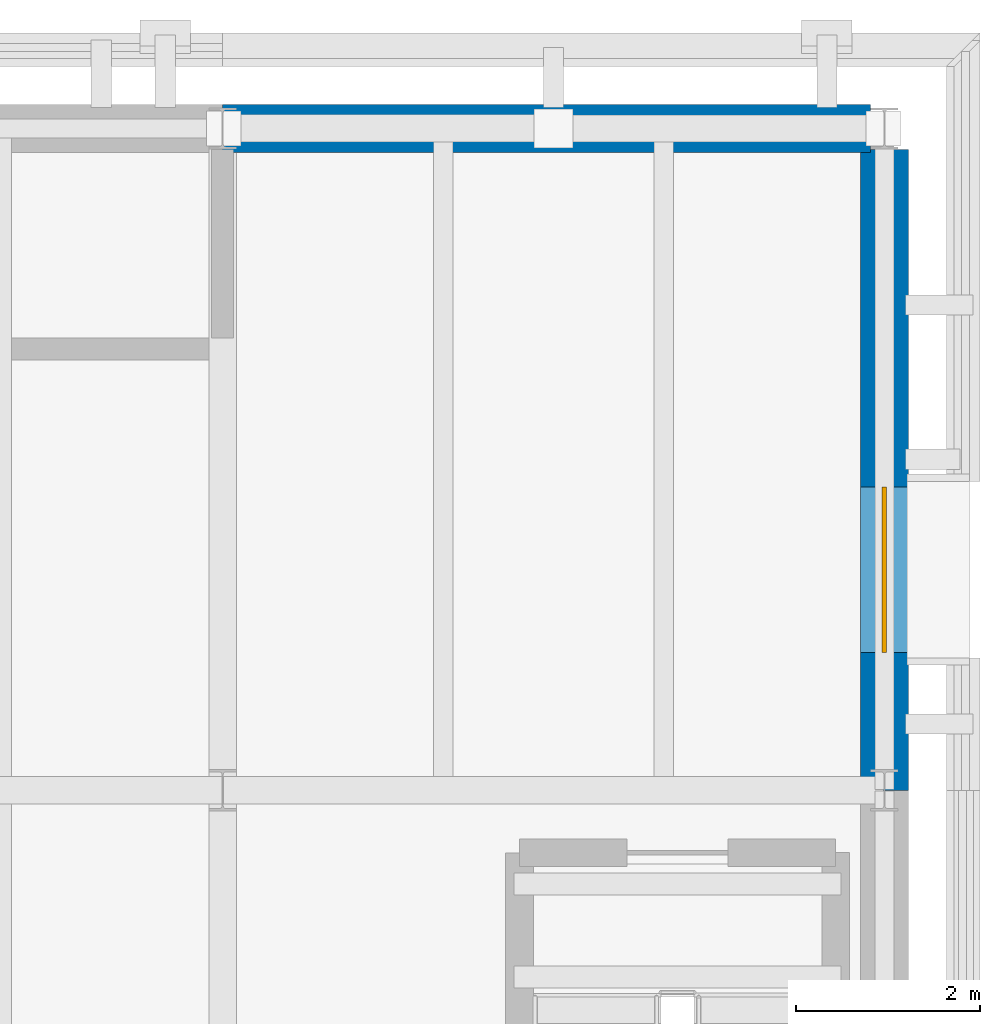
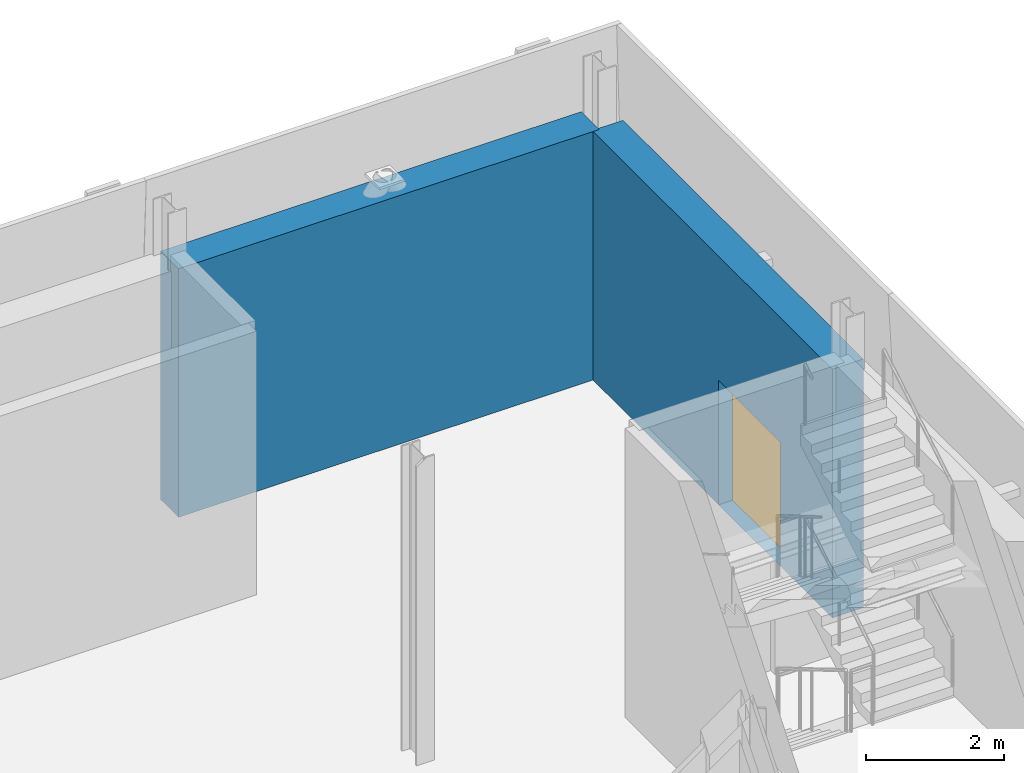
# One storey, part 82 of 120: 2 walls, 1 door, 1 opening.
"""IFC4 building model written with IfcOpenShell, lengths in metres."""

from ifc_helpers import new_model, si_unit, direction, frame, frame_2d, origin, place, context, subcontext, project, spatial, rectangle, extrude, material, layer, layer_set, type_object, element, fill, save


model = new_model("IFC4")

# Units and contexts
model_context = context("Model", 3, precision=1e-05, world=origin(), true_north=direction((0.0, 1.0)))
body_context = subcontext(model_context, "Body", "Model", "MODEL_VIEW")
ifc_project = project(units=[si_unit("LENGTHUNIT", "METRE"), si_unit("AREAUNIT", "SQUARE_METRE"), si_unit("VOLUMEUNIT", "CUBIC_METRE"), si_unit("PLANEANGLEUNIT", "RADIAN"), si_unit("MASSUNIT", "GRAM", prefix="KILO")], contexts=[model_context])

# Site, building, storey
site_placement = place(None, origin())
site = spatial("IfcSite", under=ifc_project, at=site_placement, CompositionType="ELEMENT")
building_placement = place(site_placement, origin())
building = spatial("IfcBuilding", under=site, at=building_placement, Name="Narikvali Park Central Library", CompositionType="ELEMENT")
storey_placement = place(building_placement, origin())
storey = spatial("IfcBuildingStorey", under=building, at=storey_placement, Name="L00", CompositionType="ELEMENT", Elevation=0.0)

# Wall, opening, door
ifc_material_1 = material(Name="White Rusticated Limestone over Concrete C35/45", Category="masonry")
ifc_layer = layer(ifc_material_1, 0.52001953125, Name="White Rusticated Limestone over Concrete C35/45")
ifc_layer_set = layer_set([ifc_layer], Name="White Rusticated Limestone over Concrete C35/45")
wall_type = type_object("IfcWallType", Name="White Limestone Ashlar Plinth Wall 520", PredefinedType="SOLIDWALL", material=ifc_layer_set)
wall_1_placement = place(storey_placement, frame((165.60009765625, 108.0, 0.0), z_axis=(0.0, 0.0, 1.0), x_axis=(0.0, 1.0, 0.0)))
wall_1 = element("IfcWall", 1, at=wall_1_placement, inside=storey, type_object=wall_type, Name="V3 L00 E Exterior Limestone Wall B05", PredefinedType="SOLIDWALL", context=body_context, shape_type="SweptSolid", body=[
    extrude(rectangle(XDim=6.970947265625, YDim=0.52001953125, at=frame_2d((3.4853515625, 0.0))), origin(), (0.0, 0.0, 1.0), 4.39990234375),
])
opening_placement = place(wall_1_placement, frame((1.5, 0.0, 0.0)))
opening = element("IfcOpeningElement", 2, at=opening_placement, cuts=wall_1, Name="Opening ED-021", PredefinedType="OPENING", context=body_context, shape_type="SweptSolid", body=[
    extrude(rectangle(XDim=1.800048828125, YDim=2.199951171875, at=frame_2d((0.89990234375, 1.10009765625))), frame((0.0, 0.27197265625, 0.0), z_axis=(0.0, -1.0, 0.0), x_axis=(1.0, 0.0, 0.0)), (0.0, 0.0, 1.0), 0.5439453125),
])
ifc_material_2 = material(Name="Powder-Coated Galvanised Steel S275", Category="steel")
door_type = type_object("IfcDoorType", Name="Exterior Final Exit Double Fire Door 1800x2200", OperationType="DOUBLE_DOOR_SINGLE_SWING", PredefinedType="DOOR", material=ifc_material_2)
door_placement = place(opening_placement, frame((1.800048828125, 0.0, 0.0), z_axis=(0.0, 0.0, 1.0), x_axis=(-1.0, 0.0, 0.0)))
door = element("IfcDoor", 3, at=door_placement, inside=storey, type_object=door_type, Name="V3 Ground Final Exit Discharge Door ED-021", OperationType="DOUBLE_DOOR_SINGLE_SWING", OverallHeight=2.199951171875, OverallWidth=1.800048828125, PredefinedType="DOOR", context=body_context, shape_type="SweptSolid", body=[
    extrude(rectangle(XDim=1.800048828125, YDim=2.199951171875, at=frame_2d((0.89990234375, 1.10009765625))), frame((0.0, 0.02490234375, 0.0), z_axis=(0.0, -1.0, 0.0), x_axis=(1.0, 0.0, 0.0)), (0.0, 0.0, 1.0), 0.050048828125),
])
fill(opening, door)

# Wall
wall_2_placement = place(storey_placement, frame((165.446044921875, 115.199951171875, 0.0), z_axis=(0.0, 0.0, 1.0), x_axis=(-1.0, 0.0, 0.0)))
element("IfcWall", 4, at=wall_2_placement, inside=storey, type_object=wall_type, Name="V3 L00 N Exterior Limestone Wall B01", PredefinedType="SOLIDWALL", context=body_context, shape_type="SweptSolid", body=[
    extrude(rectangle(XDim=7.046142578125, YDim=0.52001953125, at=frame_2d((3.52294921875, 0.0))), origin(), (0.0, 0.0, 1.0), 4.39990234375),
])

save(model, "model.ifc")
